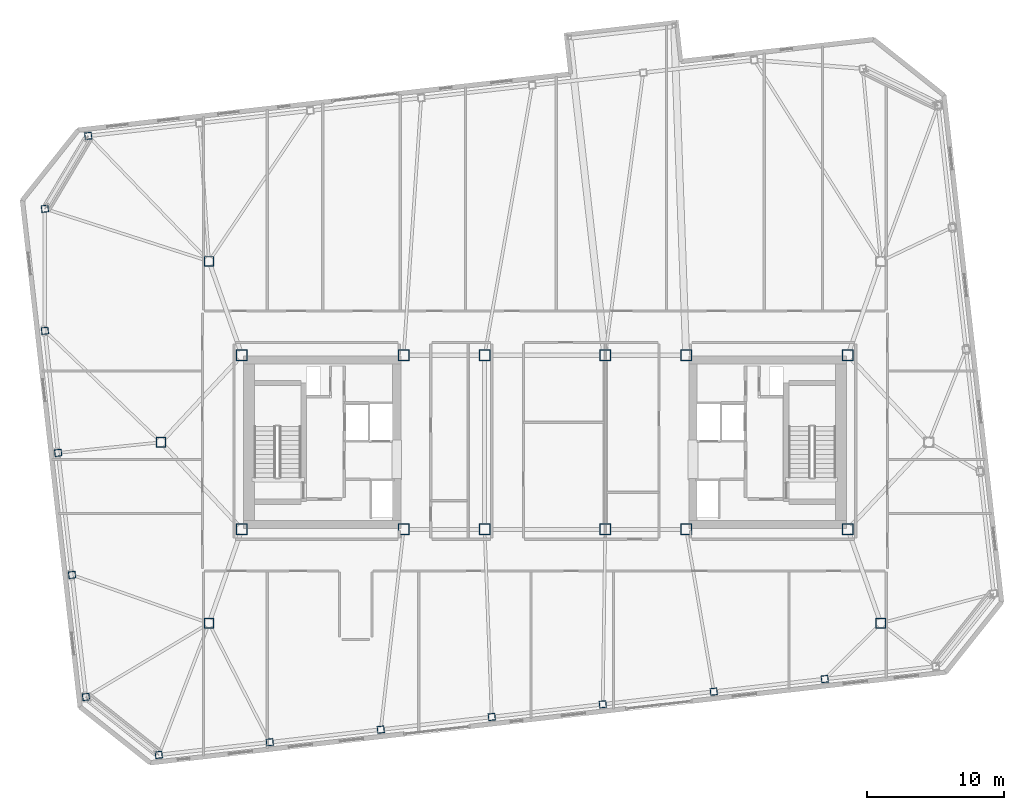
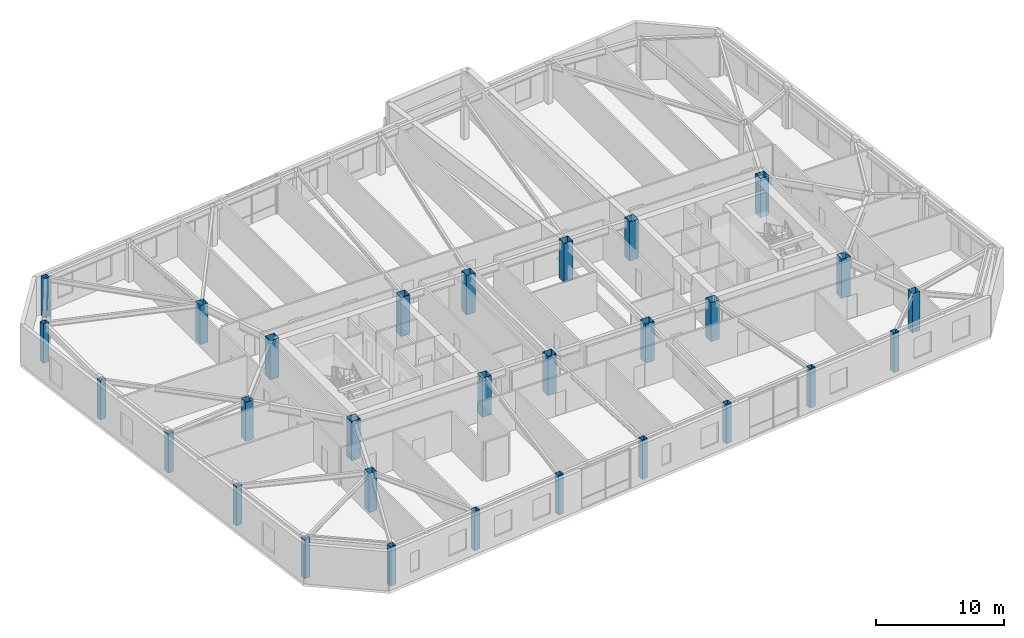
# One storey, part 1 of 19: 29 columns.
"""IFC4 building model written with IfcOpenShell, lengths in metres."""

from ifc_helpers import new_model, si_unit, direction, frame, origin, origin_2d, place, context, subcontext, project, spatial, hollow_rectangle, extrude, material, material_profile, profile_set, type_object, element, save


model = new_model("IFC4")

# Units and contexts
model_context = context("Model", 3, precision=1e-05, world=origin(), true_north=direction((0.0, 1.0)))
body_context = subcontext(model_context, "Body", "Model", "MODEL_VIEW")
ifc_project = project(units=[si_unit("LENGTHUNIT", "METRE"), si_unit("AREAUNIT", "SQUARE_METRE"), si_unit("VOLUMEUNIT", "CUBIC_METRE"), si_unit("PLANEANGLEUNIT", "RADIAN"), si_unit("MASSUNIT", "GRAM", prefix="KILO")], contexts=[model_context])

# Site, building, storey
site_placement = place(None, origin())
site = spatial("IfcSite", under=ifc_project, at=site_placement, CompositionType="ELEMENT")
building_placement = place(site_placement, origin())
building = spatial("IfcBuilding", under=site, at=building_placement, Name="Tavrogorsk Clinical Tower", CompositionType="ELEMENT")
storey_placement = place(building_placement, frame((0.0, 0.0, 243.0)))
storey = spatial("IfcBuildingStorey", under=building, at=storey_placement, Name="L56", CompositionType="ELEMENT", Elevation=243.0)

# Columns
ifc_material_1 = material(Name="Structural steel S440", Category="steel")
ifc_material_profile_1 = material_profile(ifc_material_1, hollow_rectangle(XDim=0.699951171875, YDim=0.699951171875, WallThickness=0.031982421875, at=origin_2d()), Name="BOX-700x700x32")
ifc_profile_set_1 = profile_set([ifc_material_profile_1], Name="Structural steel S440")
column_type_1 = type_object("IfcColumnType", Name="MegaCol_BOX700", PredefinedType="COLUMN", material=ifc_profile_set_1)
for number, where, z_axis, x_axis, name in (
    (1, (-24.5, -13.199951171875, 0.0), (0.0, 0.0, 1.0), (1.0, 0.0, 0.0), "L56 Spine Pilotis Column MC-P1"),
    (2, (24.5, -13.199951171875, 0.0), (0.0, 0.0, 1.0), (1.0, 0.0, 0.0), "L56 Spine Pilotis Column MC-P2"),
    (3, (-24.5, 13.199951171875, 0.0), (0.0, 0.0, 1.0), (1.0, 0.0, 0.0), "L56 Spine Pilotis Column MC-P3"),
    (4, (-28.0, 0.0, 0.0), (0.0, 0.0, 1.0), (1.0, 0.0, 0.0), "L56 Spine Pilotis Column MC-P5"),
):
    element("IfcColumn", number, at=place(storey_placement, frame(where, z_axis=z_axis, x_axis=x_axis)), inside=storey, type_object=column_type_1, Name=name, PredefinedType="COLUMN", context=body_context, shape_type="SweptSolid", body=[
        extrude(hollow_rectangle(XDim=0.699951171875, YDim=0.699951171875, WallThickness=0.031982421875, at=origin_2d()), origin(), (0.0, 0.0, 1.0), 3.739990234375),
    ])
ifc_material_2 = material(Name="Structural steel S440", Category="steel")
ifc_material_profile_2 = material_profile(ifc_material_2, hollow_rectangle(XDim=0.800048828125, YDim=0.800048828125, WallThickness=0.035888671875, at=origin_2d()), Name="BOX-800x800x36")
ifc_profile_set_2 = profile_set([ifc_material_profile_2], Name="Structural steel S440")
column_type_2 = type_object("IfcColumnType", Name="MegaCol_BOX800", PredefinedType="COLUMN", material=ifc_profile_set_2)
for number, where, z_axis, x_axis, name in (
    (5, (-22.10009765625, -6.35009765625, 0.0), (0.0, 0.0, 1.0), (1.0, 0.0, 0.0), "L56 Mega Column MC-W1"),
    (6, (-22.10009765625, 6.35009765625, 0.0), (0.0, 0.0, 1.0), (1.0, 0.0, 0.0), "L56 Mega Column MC-W2"),
    (7, (-10.300048828125, -6.35009765625, 0.0), (0.0, 0.0, 1.0), (1.0, 0.0, 0.0), "L56 Mega Column MC-W3"),
    (8, (-10.300048828125, 6.35009765625, 0.0), (0.0, 0.0, 1.0), (1.0, 0.0, 0.0), "L56 Mega Column MC-W4"),
    (9, (10.300048828125, -6.35009765625, 0.0), (0.0, 0.0, 1.0), (1.0, 0.0, 0.0), "L56 Mega Column MC-E1"),
    (10, (10.300048828125, 6.35009765625, 0.0), (0.0, 0.0, 1.0), (1.0, 0.0, 0.0), "L56 Mega Column MC-E2"),
    (11, (22.10009765625, -6.35009765625, 0.0), (0.0, 0.0, 1.0), (1.0, 0.0, 0.0), "L56 Mega Column MC-E3"),
    (12, (22.10009765625, 6.35009765625, 0.0), (0.0, 0.0, 1.0), (1.0, 0.0, 0.0), "L56 Mega Column MC-E4"),
    (13, (-4.39990234375, -6.35009765625, 0.0), (0.0, 0.0, 1.0), (1.0, 0.0, 0.0), "L56 Mega Column MC-C1"),
    (14, (4.39990234375, -6.35009765625, 0.0), (0.0, 0.0, 1.0), (1.0, 0.0, 0.0), "L56 Mega Column MC-C2"),
    (15, (-4.39990234375, 6.35009765625, 0.0), (0.0, 0.0, 1.0), (1.0, 0.0, 0.0), "L56 Mega Column MC-C3"),
    (16, (4.39990234375, 6.35009765625, 0.0), (0.0, 0.0, 1.0), (1.0, 0.0, 0.0), "L56 Mega Column MC-C4"),
):
    element("IfcColumn", number, at=place(storey_placement, frame(where, z_axis=z_axis, x_axis=x_axis)), inside=storey, type_object=column_type_2, Name=name, PredefinedType="COLUMN", context=body_context, shape_type="SweptSolid", body=[
        extrude(hollow_rectangle(XDim=0.800048828125, YDim=0.800048828125, WallThickness=0.035888671875, at=origin_2d()), origin(), (0.0, 0.0, 1.0), 3.739990234375),
    ])
ifc_material_3 = material(Name="Structural steel S440", Category="steel")
ifc_material_profile_3 = material_profile(ifc_material_3, hollow_rectangle(XDim=0.5, YDim=0.5, WallThickness=0.02490234375, at=origin_2d()), Name="BOX-500x500x25")
ifc_profile_set_3 = profile_set([ifc_material_profile_3], Name="Structural steel S440")
column_type_3 = type_object("IfcColumnType", Name="PerimCol_B4_BOX500", PredefinedType="COLUMN", material=ifc_profile_set_3)
for number, where, z_axis, x_axis, name in (
    (17, (-28.164794921875, -22.802490234375, 0.0), (0.0, 0.0, 1.0), (0.993571855677, 0.113203213768, 0.0), "L56 Perimeter Column S1"),
    (18, (-20.068603515625, -21.880126953125, 0.0), (0.0, 0.0, 1.0), (0.993571855677, 0.113203213768, 0.0), "L56 Perimeter Column S2"),
    (19, (-11.972412109375, -20.95751953125, 0.0), (0.0, 0.0, 1.0), (0.993571855677, 0.113203213768, 0.0), "L56 Perimeter Column S3"),
    (20, (-3.876220703125, -20.03515625, 0.0), (0.0, 0.0, 1.0), (0.993571855677, 0.113203213768, 0.0), "L56 Perimeter Column S4"),
    (21, (4.22021484375, -19.11279296875, 0.0), (0.0, 0.0, 1.0), (0.993571855677, 0.113203213768, 0.0), "L56 Perimeter Column S5"),
    (22, (12.31640625, -18.190185546875, 0.0), (0.0, 0.0, 1.0), (0.993571855677, 0.113203213768, 0.0), "L56 Perimeter Column S6"),
    (23, (20.412353515625, -17.267822265625, 0.0), (0.0, 0.0, 1.0), (0.993571855677, 0.113203213768, 0.0), "L56 Perimeter Column S7"),
    (24, (-33.30859375, 22.345458984375, 0.0), (0.0, 0.0, 1.0), (0.993571855677, 0.113203213768, 0.0), "L56 Perimeter Column N8"),
    (25, (-36.469970703125, 17.032958984375, 0.0), (0.0, 0.0, 1.0), (0.993571855677, 0.113203213768, 0.0), "L56 Perimeter Column W1"),
    (26, (-36.469970703125, 8.130615234375, 0.0), (0.0, 0.0, 1.0), (0.993571855677, 0.113203213768, 0.0), "L56 Perimeter Column W2"),
    (27, (-35.505859375, -0.77197265625, 0.0), (0.0, 0.0, 1.0), (0.993571855677, 0.113203213768, 0.0), "L56 Perimeter Column W3"),
    (28, (-34.491455078125, -9.67431640625, 0.0), (0.0, 0.0, 1.0), (0.993571855677, 0.113203213768, 0.0), "L56 Perimeter Column W4"),
    (29, (-33.477294921875, -18.57666015625, 0.0), (0.0, 0.0, 1.0), (0.993571855677, 0.113203213768, 0.0), "L56 Perimeter Column W5"),
):
    element("IfcColumn", number, at=place(storey_placement, frame(where, z_axis=z_axis, x_axis=x_axis)), inside=storey, type_object=column_type_3, Name=name, PredefinedType="COLUMN", context=body_context, shape_type="SweptSolid", body=[
        extrude(hollow_rectangle(XDim=0.5, YDim=0.5, WallThickness=0.02490234375, at=origin_2d()), origin(), (0.0, 0.0, 1.0), 3.739990234375),
    ])

save(model, "model.ifc")
